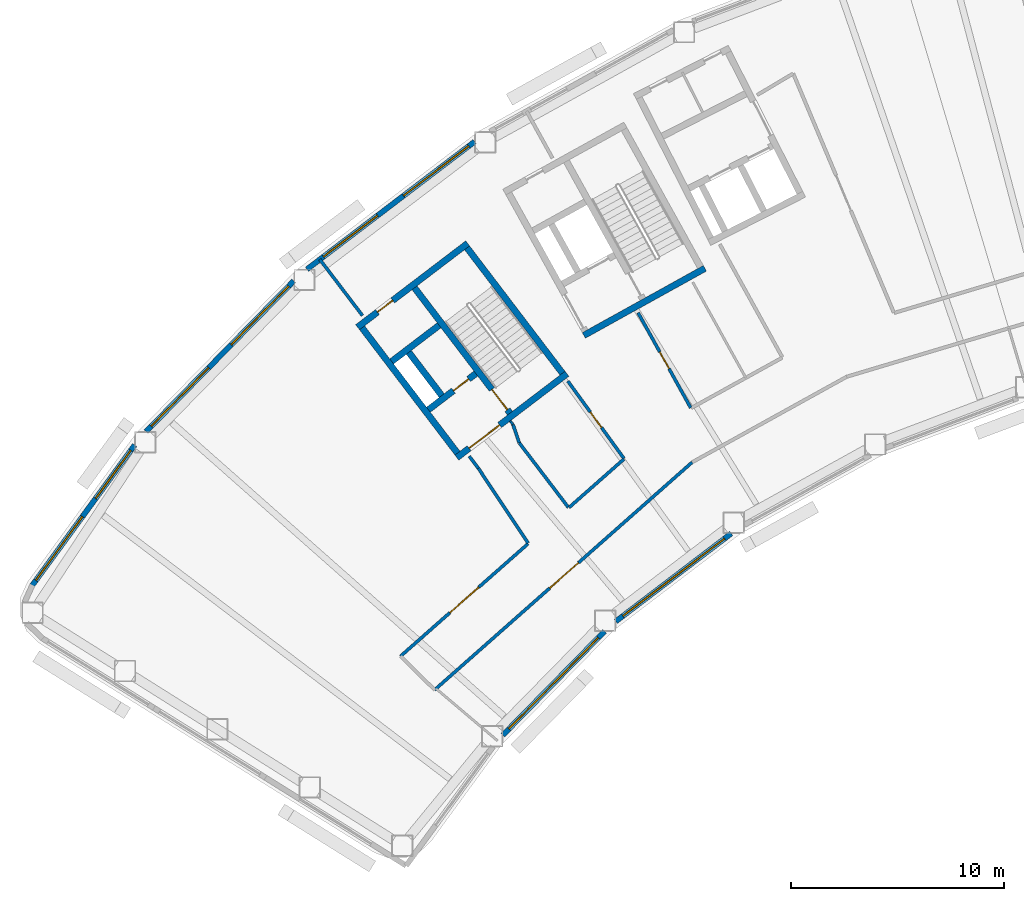
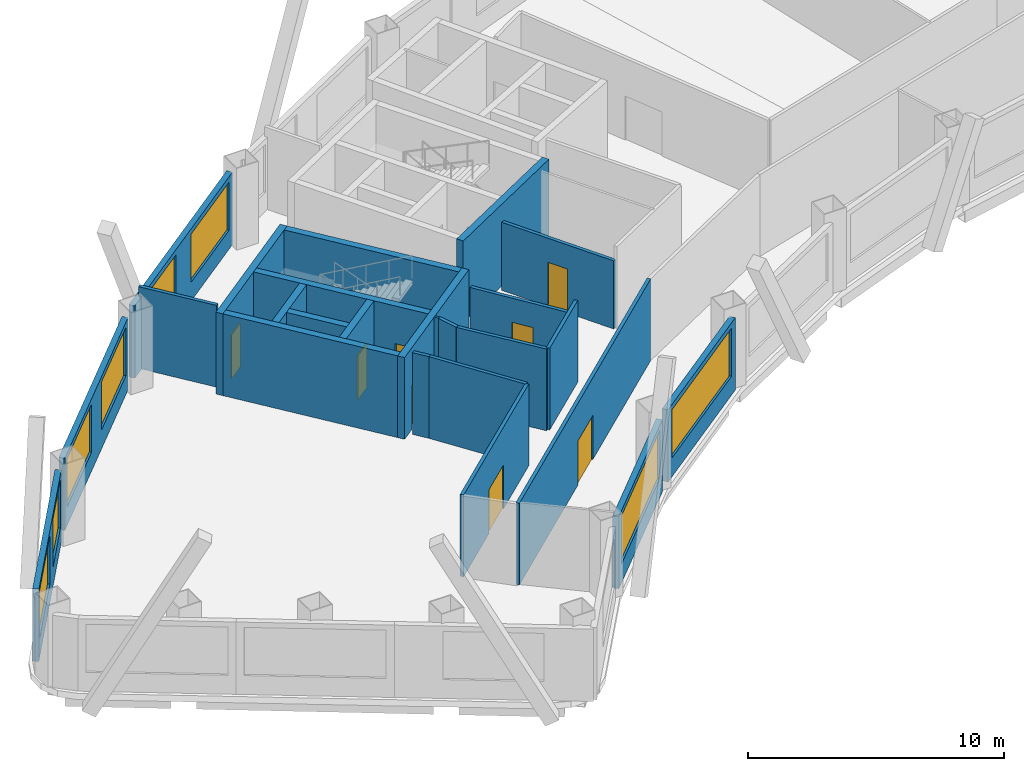
# One storey, part 3 of 11: 25 walls, 8 doors, 8 windows, 16 openings.
"""IFC4 building model written with IfcOpenShell, lengths in metres."""

from ifc_helpers import new_model, si_unit, direction, frame, frame_2d, origin, place, context, subcontext, project, spatial, rectangle, extrude, material, layer, layer_set, type_object, element, fill, save


model = new_model("IFC4")

# Units and contexts
model_context = context("Model", 3, precision=1e-05, world=origin(), true_north=direction((0.0, 1.0)))
body_context = subcontext(model_context, "Body", "Model", "MODEL_VIEW")
ifc_project = project(units=[si_unit("LENGTHUNIT", "METRE"), si_unit("AREAUNIT", "SQUARE_METRE"), si_unit("VOLUMEUNIT", "CUBIC_METRE"), si_unit("PLANEANGLEUNIT", "RADIAN"), si_unit("MASSUNIT", "GRAM", prefix="KILO")], contexts=[model_context])

# Site, building, storey
site_placement = place(None, origin())
site = spatial("IfcSite", under=ifc_project, at=site_placement, CompositionType="ELEMENT")
building_placement = place(site_placement, origin())
building = spatial("IfcBuilding", under=site, at=building_placement, Name="Tuul Gate Civic Tower", CompositionType="ELEMENT")
storey_placement = place(building_placement, frame((0.0, 0.0, 155.0)))
storey = spatial("IfcBuildingStorey", under=building, at=storey_placement, Name="Level 35", CompositionType="ELEMENT", Elevation=155.0)

# Wall, opening, door
ifc_material_1 = material(Name="Concrete C50/60", Category="concrete")
ifc_layer_1 = layer(ifc_material_1, 0.300048828125)
ifc_layer_set_1 = layer_set([ifc_layer_1], Name="Concrete C50/60")
wall_type_1 = type_object("IfcWallType", Name="Core wall C50/60", PredefinedType="SHEAR", material=ifc_layer_set_1)
wall_1_placement = place(storey_placement, frame((-31.19091796875, -13.669677734375, 0.0), z_axis=(0.0, 0.0, 1.0), x_axis=(-0.795606717756, -0.605813461934, 0.0)))
wall_1 = element("IfcWall", 1, at=wall_1_placement, inside=storey, type_object=wall_type_1, Name="Core wall", PredefinedType="SHEAR", context=body_context, shape_type="SweptSolid", body=[
    extrude(rectangle(XDim=6.5, YDim=0.300048828125, at=frame_2d((3.25, 0.0))), origin(), (0.0, 0.0, 1.0), 3.89990234375),
])
opening_1_placement = place(wall_1_placement, frame((3.97509765625, 0.0, 0.0)))
opening_1 = element("IfcOpeningElement", 2, at=opening_1_placement, cuts=wall_1, Name="Opening LB-W1-LOBBY-1", PredefinedType="OPENING", context=body_context, shape_type="SweptSolid", body=[
    extrude(rectangle(XDim=1.800048828125, YDim=2.10009765625, at=frame_2d((0.89990234375, 1.050048828125))), frame((0.0, 0.16015625, 0.0), z_axis=(0.0, -1.0, 0.0), x_axis=(1.0, 0.0, 0.0)), (0.0, 0.0, 1.0), 0.320068359375),
])
ifc_material_2 = material(Name="Steel", Category="steel")
door_type_1 = type_object("IfcDoorType", Name="Lobby door", OperationType="DOUBLE_DOOR_SINGLE_SWING", PredefinedType="DOOR", material=ifc_material_2)
door_1_placement = place(opening_1_placement, origin())
door_1 = element("IfcDoor", 3, at=door_1_placement, inside=storey, type_object=door_type_1, Name="Lobby door W1-LOBBY", OperationType="DOUBLE_DOOR_SINGLE_SWING", OverallHeight=2.10009765625, OverallWidth=1.800048828125, PredefinedType="DOOR", context=body_context, shape_type="SweptSolid", body=[
    extrude(rectangle(XDim=1.800048828125, YDim=2.10009765625, at=frame_2d((0.89990234375, 1.050048828125))), frame((0.0, 0.02490234375, 0.0), z_axis=(0.0, -1.0, 0.0), x_axis=(1.0, 0.0, 0.0)), (0.0, 0.0, 1.0), 0.050048828125),
])
fill(opening_1, door_1)

wall_2_placement = place(storey_placement, frame((-35.470947265625, -13.66064453125, 0.0), z_axis=(0.0, 0.0, 1.0), x_axis=(-0.795615822227, -0.605801504968, 0.0)))
wall_2 = element("IfcWall", 4, at=wall_2_placement, inside=storey, type_object=wall_type_1, Name="Core wall", PredefinedType="SHEAR", context=body_context, shape_type="SweptSolid", body=[
    extrude(rectangle(XDim=2.800048828125, YDim=0.300048828125, at=frame_2d((1.39990234375, 0.0))), origin(), (0.0, 0.0, 1.0), 3.89990234375),
])
opening_2_placement = place(wall_2_placement, frame((0.425048828125, 0.0, 0.0)))
opening_2 = element("IfcOpeningElement", 5, at=opening_2_placement, cuts=wall_2, Name="Opening FB-W1A1", PredefinedType="OPENING", context=body_context, shape_type="SweptSolid", body=[
    extrude(rectangle(XDim=0.89990234375, YDim=2.10009765625, at=frame_2d((0.449951171875, 1.050048828125))), frame((0.0, 0.16015625, 0.0), z_axis=(0.0, -1.0, 0.0), x_axis=(1.0, 0.0, 0.0)), (0.0, 0.0, 1.0), 0.320068359375),
])
ifc_material_3 = material(Name="Steel", Category="steel")
door_type_2 = type_object("IfcDoorType", Name="Store door", OperationType="NOTDEFINED", PredefinedType="DOOR", material=ifc_material_3)
door_2_placement = place(opening_2_placement, frame((0.89990234375, 0.0, 0.0), z_axis=(0.0, 0.0, 1.0), x_axis=(-1.0, 0.0, 0.0)))
door_2 = element("IfcDoor", 6, at=door_2_placement, inside=storey, type_object=door_type_2, Name="Store door W1A1", OperationType="SINGLE_SWING_RIGHT", OverallHeight=2.10009765625, OverallWidth=0.89990234375, PredefinedType="DOOR", context=body_context, shape_type="SweptSolid", body=[
    extrude(rectangle(XDim=0.89990234375, YDim=2.10009765625, at=frame_2d((0.449951171875, 1.050048828125))), frame((0.0, 0.02490234375, 0.0), z_axis=(0.0, -1.0, 0.0), x_axis=(1.0, 0.0, 0.0)), (0.0, 0.0, 1.0), 0.050048828125),
])
fill(opening_2, door_2)

# Wall
wall_3_placement = place(storey_placement, frame((-37.197509765625, -11.39306640625, 0.0), z_axis=(0.0, 0.0, 1.0), x_axis=(-0.795583820278, -0.605843531707, 0.0)))
element("IfcWall", 7, at=wall_3_placement, inside=storey, type_object=wall_type_1, Name="Core wall", PredefinedType="SHEAR", context=body_context, shape_type="SweptSolid", body=[
    extrude(rectangle(XDim=2.7998046875, YDim=0.300048828125, at=frame_2d((1.39990234375, 0.0))), origin(), (0.0, 0.0, 1.0), 3.89990234375),
])

# Wall, opening, door
wall_4_placement = place(storey_placement, frame((-35.855224609375, -7.543212890625, 0.0), z_axis=(0.0, 0.0, 1.0), x_axis=(-0.79563860527, -0.605771582202, 0.0)))
wall_4 = element("IfcWall", 8, at=wall_4_placement, inside=storey, type_object=wall_type_1, Name="Core wall", PredefinedType="SHEAR", context=body_context, shape_type="SweptSolid", body=[
    extrude(rectangle(XDim=6.5, YDim=0.300048828125, at=frame_2d((3.25, 0.0))), origin(), (0.0, 0.0, 1.0), 3.89990234375),
])
opening_3_placement = place(wall_4_placement, frame((4.425048828125, 0.0, 0.0)))
opening_3 = element("IfcOpeningElement", 9, at=opening_3_placement, cuts=wall_4, Name="Opening L-D11", PredefinedType="OPENING", context=body_context, shape_type="SweptSolid", body=[
    extrude(rectangle(XDim=0.89990234375, YDim=2.10009765625, at=frame_2d((0.449951171875, 1.050048828125))), frame((0.0, 0.16015625, 0.0), z_axis=(0.0, -1.0, 0.0), x_axis=(1.0, 0.0, 0.0)), (0.0, 0.0, 1.0), 0.320068359375),
])
ifc_material_4 = material(Name="Timber door leaf", Category="wood")
door_type_3 = type_object("IfcDoorType", Name="Door D09", OperationType="NOTDEFINED", PredefinedType="DOOR", material=ifc_material_4)
door_3_placement = place(opening_3_placement, origin())
door_3 = element("IfcDoor", 10, at=door_3_placement, inside=storey, type_object=door_type_3, Name="Door L-D11", OperationType="SINGLE_SWING_LEFT", OverallHeight=2.10009765625, OverallWidth=0.89990234375, PredefinedType="DOOR", context=body_context, shape_type="SweptSolid", body=[
    extrude(rectangle(XDim=0.89990234375, YDim=2.10009765625, at=frame_2d((0.449951171875, 1.050048828125))), frame((0.0, 0.02490234375, 0.0), z_axis=(0.0, -1.0, 0.0), x_axis=(1.0, 0.0, 0.0)), (0.0, 0.0, 1.0), 0.050048828125),
])
fill(opening_3, door_3)

# Wall
wall_5_placement = place(storey_placement, frame((-31.401123046875, -13.64111328125, 0.0), z_axis=(0.0, 0.0, 1.0), x_axis=(-0.605769822278, 0.795639945213, 0.0)))
element("IfcWall", 11, at=wall_5_placement, inside=storey, type_object=wall_type_1, Name="Core wall", PredefinedType="SHEAR", context=body_context, shape_type="SweptSolid", body=[
    extrude(rectangle(XDim=7.39990234375, YDim=0.300048828125, at=frame_2d((3.699951171875, 0.0))), origin(), (0.0, 0.0, 1.0), 3.89990234375),
])

# Wall, opening, door
wall_6_placement = place(storey_placement, frame((-33.867431640625, -15.51904296875, 0.0), z_axis=(0.0, 0.0, 1.0), x_axis=(-0.605769822278, 0.795639945213, 0.0)))
wall_6 = element("IfcWall", 12, at=wall_6_placement, inside=storey, type_object=wall_type_1, Name="Core wall", PredefinedType="SHEAR", context=body_context, shape_type="SweptSolid", body=[
    extrude(rectangle(XDim=7.39990234375, YDim=0.300048828125, at=frame_2d((3.699951171875, 0.0))), origin(), (0.0, 0.0, 1.0), 3.89990234375),
])
opening_4_placement = place(wall_6_placement, frame((0.199951171875, 0.0, 0.0)))
opening_4 = element("IfcOpeningElement", 13, at=opening_4_placement, cuts=wall_6, Name="Opening SD-ST-1", PredefinedType="OPENING", context=body_context, shape_type="SweptSolid", body=[
    extrude(rectangle(XDim=1.199951171875, YDim=2.10009765625, at=frame_2d((0.60009765625, 1.050048828125))), frame((0.0, 0.16015625, 0.0), z_axis=(0.0, -1.0, 0.0), x_axis=(1.0, 0.0, 0.0)), (0.0, 0.0, 1.0), 0.320068359375),
])
ifc_material_5 = material(Name="Steel", Category="steel")
door_type_4 = type_object("IfcDoorType", Name="Stair door", OperationType="NOTDEFINED", PredefinedType="DOOR", material=ifc_material_5)
door_4_placement = place(opening_4_placement, origin())
door_4 = element("IfcDoor", 14, at=door_4_placement, inside=storey, type_object=door_type_4, Name="Stair door ST-1", OperationType="SINGLE_SWING_LEFT", OverallHeight=2.10009765625, OverallWidth=1.199951171875, PredefinedType="DOOR", context=body_context, shape_type="SweptSolid", body=[
    extrude(rectangle(XDim=1.199951171875, YDim=2.10009765625, at=frame_2d((0.60009765625, 1.050048828125))), frame((0.0, 0.02490234375, 0.0), z_axis=(0.0, -1.0, 0.0), x_axis=(1.0, 0.0, 0.0)), (0.0, 0.0, 1.0), 0.050048828125),
])
fill(opening_4, door_4)

# Walls
wall_7_placement = place(storey_placement, frame((-37.073486328125, -14.6923828125, 0.0), z_axis=(0.0, 0.0, 1.0), x_axis=(-0.605728760074, 0.79567120673, 0.0)))
element("IfcWall", 15, at=wall_7_placement, inside=storey, type_object=wall_type_1, Name="Core wall", PredefinedType="SHEAR", context=body_context, shape_type="SweptSolid", body=[
    extrude(rectangle(XDim=2.550048828125, YDim=0.300048828125, at=frame_2d((1.27490234375, 0.0))), origin(), (0.0, 0.0, 1.0), 3.89990234375),
])
wall_8_placement = place(storey_placement, frame((-36.333984375, -17.397216796875, 0.0), z_axis=(0.0, 0.0, 1.0), x_axis=(-0.605753921168, 0.795652051458, 0.0)))
element("IfcWall", 16, at=wall_8_placement, inside=storey, type_object=wall_type_1, Name="Core wall", PredefinedType="SHEAR", context=body_context, shape_type="SweptSolid", body=[
    extrude(rectangle(XDim=7.400146484375, YDim=0.300048828125, at=frame_2d((3.7001953125, 0.0))), origin(), (0.0, 0.0, 1.0), 3.89990234375),
])
wall_9_placement = place(storey_placement, frame((-24.711669921875, -8.7158203125, 0.0), z_axis=(0.0, 0.0, 1.0), x_axis=(-0.874629909008, -0.484791215132, 0.0)))
element("IfcWall", 17, at=wall_9_placement, inside=storey, type_object=wall_type_1, Name="Core wall", PredefinedType="SHEAR", context=body_context, shape_type="SweptSolid", body=[
    extrude(rectangle(XDim=6.5, YDim=0.300048828125, at=frame_2d((3.25, 0.0))), origin(), (0.0, 0.0, 1.0), 3.89990234375),
])
ifc_material_6 = material(Name="Gypsum board partition")
ifc_layer_2 = layer(ifc_material_6, 0.14990234375)
ifc_layer_set_2 = layer_set([ifc_layer_2], Name="Gypsum board partition")
wall_type_2 = type_object("IfcWallType", Name="Corridor wall P150", PredefinedType="PARTITIONING", material=ifc_layer_set_2)
wall_10_placement = place(storey_placement, frame((-42.802001953125, -8.295166015625, 0.0), z_axis=(0.0, 0.0, 1.0), x_axis=(0.60469797749, -0.796454867535, 0.0)))
element("IfcWall", 18, at=wall_10_placement, inside=storey, type_object=wall_type_2, Name="p029", PredefinedType="PARTITIONING", context=body_context, shape_type="SweptSolid", body=[
    extrude(rectangle(XDim=3.310302734375, YDim=0.14990234375, at=frame_2d((1.6552734375, 0.0))), origin(), (0.0, 0.0, 1.0), 3.89990234375),
])
wall_11_placement = place(storey_placement, frame((-35.781982421875, -17.54248046875, 0.0), z_axis=(0.0, 0.0, 1.0), x_axis=(0.604688945267, -0.796461725052, 0.0)))
element("IfcWall", 19, at=wall_11_placement, inside=storey, type_object=wall_type_2, Name="p030", PredefinedType="PARTITIONING", context=body_context, shape_type="SweptSolid", body=[
    extrude(rectangle(XDim=0.70654296875, YDim=0.14990234375, at=frame_2d((0.353271484375, 0.0))), origin(), (0.0, 0.0, 1.0), 3.89990234375),
])
wall_12_placement = place(storey_placement, frame((-35.354736328125, -18.105224609375, 0.0), z_axis=(0.0, 0.0, 1.0), x_axis=(0.553299799825, -0.832982191594, 0.0)))
element("IfcWall", 20, at=wall_12_placement, inside=storey, type_object=wall_type_2, Name="p031", PredefinedType="PARTITIONING", context=body_context, shape_type="SweptSolid", body=[
    extrude(rectangle(XDim=4.2265625, YDim=0.14990234375, at=frame_2d((2.11328125, 0.0))), origin(), (0.0, 0.0, 1.0), 3.89990234375),
])

# Wall, opening, door
wall_13_placement = place(storey_placement, frame((-39.0068359375, -26.9365234375, 0.0), z_axis=(0.0, 0.0, 1.0), x_axis=(0.749806624539, 0.66165703034, 0.0)))
wall_13 = element("IfcWall", 21, at=wall_13_placement, inside=storey, type_object=wall_type_2, Name="p032", PredefinedType="PARTITIONING", context=body_context, shape_type="SweptSolid", body=[
    extrude(rectangle(XDim=7.98486328125, YDim=0.14990234375, at=frame_2d((3.992431640625, 0.0))), origin(), (0.0, 0.0, 1.0), 3.89990234375),
])
opening_5_placement = place(wall_13_placement, frame((3.09228515625, 0.0, 0.0)))
opening_5 = element("IfcOpeningElement", 22, at=opening_5_placement, cuts=wall_13, Name="Opening L-D07", PredefinedType="OPENING", context=body_context, shape_type="SweptSolid", body=[
    extrude(rectangle(XDim=1.800048828125, YDim=2.10009765625, at=frame_2d((0.89990234375, 1.050048828125))), frame((0.0, 0.0849609375, 0.0), z_axis=(0.0, -1.0, 0.0), x_axis=(1.0, 0.0, 0.0)), (0.0, 0.0, 1.0), 0.169921875),
])
ifc_material_7 = material(Name="Timber door leaf, double", Category="wood")
door_type_5 = type_object("IfcDoorType", Name="Door D18", OperationType="DOUBLE_DOOR_SINGLE_SWING", PredefinedType="DOOR", material=ifc_material_7)
door_5_placement = place(opening_5_placement, origin())
door_5 = element("IfcDoor", 23, at=door_5_placement, inside=storey, type_object=door_type_5, Name="Door L-D07", OperationType="DOUBLE_DOOR_SINGLE_SWING", OverallHeight=2.10009765625, OverallWidth=1.800048828125, PredefinedType="DOOR", context=body_context, shape_type="SweptSolid", body=[
    extrude(rectangle(XDim=1.800048828125, YDim=2.10009765625, at=frame_2d((0.89990234375, 1.050048828125))), frame((0.0, 0.02490234375, 0.0), z_axis=(0.0, -1.0, 0.0), x_axis=(1.0, 0.0, 0.0)), (0.0, 0.0, 1.0), 0.050048828125),
])
fill(opening_5, door_5)

# Wall
wall_14_placement = place(storey_placement, frame((-31.09228515625, -19.9521484375, 0.0), z_axis=(0.0, 0.0, 1.0), x_axis=(0.749802618554, 0.661661569996, 0.0)))
element("IfcWall", 24, at=wall_14_placement, inside=storey, type_object=wall_type_2, Name="p033", PredefinedType="PARTITIONING", context=body_context, shape_type="SweptSolid", body=[
    extrude(rectangle(XDim=3.4375, YDim=0.14990234375, at=frame_2d((1.71875, 0.0))), origin(), (0.0, 0.0, 1.0), 3.89990234375),
])

# Wall, opening, door
wall_15_placement = place(storey_placement, frame((-37.405517578125, -28.517333984375, 0.0), z_axis=(0.0, 0.0, 1.0), x_axis=(0.749274461917, 0.66225960221, 0.0)))
wall_15 = element("IfcWall", 25, at=wall_15_placement, inside=storey, type_object=wall_type_2, Name="p035", PredefinedType="PARTITIONING", context=body_context, shape_type="SweptSolid", body=[
    extrude(rectangle(XDim=16.144287109375, YDim=0.14990234375, at=frame_2d((8.072265625, 0.0))), origin(), (0.0, 0.0, 1.0), 3.89990234375),
])
opening_6_placement = place(wall_15_placement, frame((7.215087890625, 0.0, 0.0)))
opening_6 = element("IfcOpeningElement", 26, at=opening_6_placement, cuts=wall_15, Name="Opening L-D09", PredefinedType="OPENING", context=body_context, shape_type="SweptSolid", body=[
    extrude(rectangle(XDim=1.800048828125, YDim=2.10009765625, at=frame_2d((0.89990234375, 1.050048828125))), frame((0.0, 0.0849609375, 0.0), z_axis=(0.0, -1.0, 0.0), x_axis=(1.0, 0.0, 0.0)), (0.0, 0.0, 1.0), 0.169921875),
])
door_6_placement = place(opening_6_placement, frame((1.800048828125, 0.0, 0.0), z_axis=(0.0, 0.0, 1.0), x_axis=(-1.0, 0.0, 0.0)))
door_6 = element("IfcDoor", 27, at=door_6_placement, inside=storey, type_object=door_type_5, Name="Door L-D09", OperationType="DOUBLE_DOOR_SINGLE_SWING", OverallHeight=2.10009765625, OverallWidth=1.800048828125, PredefinedType="DOOR", context=body_context, shape_type="SweptSolid", body=[
    extrude(rectangle(XDim=1.800048828125, YDim=2.10009765625, at=frame_2d((0.900146484375, 1.050048828125))), frame((0.0, 0.02490234375, 0.0), z_axis=(0.0, -1.0, 0.0), x_axis=(1.0, 0.0, 0.0)), (0.0, 0.0, 1.0), 0.050048828125),
])
fill(opening_6, door_6)

# Walls
wall_16_placement = place(storey_placement, frame((-33.427001953125, -16.922607421875, 0.0), z_axis=(0.0, 0.0, 1.0), x_axis=(0.605786007011, -0.795627622515, 0.0)))
element("IfcWall", 28, at=wall_16_placement, inside=storey, type_object=wall_type_2, Name="p043", PredefinedType="PARTITIONING", context=body_context, shape_type="SweptSolid", body=[
    extrude(rectangle(XDim=3.803955078125, YDim=0.14990234375, at=frame_2d((1.90185546875, 0.0))), origin(), (0.0, 0.0, 1.0), 3.89990234375),
])
wall_17_placement = place(storey_placement, frame((-33.7265625, -16.053466796875, 0.0), z_axis=(0.0, 0.0, 1.0), x_axis=(0.324570788901, -0.94586140792, 0.0)))
element("IfcWall", 29, at=wall_17_placement, inside=storey, type_object=wall_type_2, Name="p044", PredefinedType="PARTITIONING", context=body_context, shape_type="SweptSolid", body=[
    extrude(rectangle(XDim=0.91162109375, YDim=0.14990234375, at=frame_2d((0.455810546875, 0.0))), origin(), (0.0, 0.0, 1.0), 3.89990234375),
])

# Wall, opening, door
ifc_material_8 = material(Name="Gypsum board partition")
ifc_layer_3 = layer(ifc_material_8, 0.14990234375)
ifc_layer_set_3 = layer_set([ifc_layer_3], Name="Gypsum board partition")
wall_type_3 = type_object("IfcWallType", Name="Corridor wall P150 3250 HIGH", PredefinedType="PARTITIONING", material=ifc_layer_set_3)
wall_18_placement = place(storey_placement, frame((-27.850341796875, -10.799560546875, 0.0), z_axis=(0.0, 0.0, 1.0), x_axis=(0.484294976114, -0.874904781168, 0.0)))
wall_18 = element("IfcWall", 30, at=wall_18_placement, inside=storey, type_object=wall_type_3, Name="p027", PredefinedType="PARTITIONING", context=body_context, shape_type="SweptSolid", body=[
    extrude(rectangle(XDim=5.107666015625, YDim=0.14990234375, at=frame_2d((2.5537109375, 0.0))), origin(), (0.0, 0.0, 1.0), 3.25),
])
opening_7_placement = place(wall_18_placement, frame((2.103759765625, 0.0, 0.0)))
opening_7 = element("IfcOpeningElement", 31, at=opening_7_placement, cuts=wall_18, Name="Opening L-D06", PredefinedType="OPENING", context=body_context, shape_type="SweptSolid", body=[
    extrude(rectangle(XDim=0.89990234375, YDim=2.10009765625, at=frame_2d((0.449951171875, 1.050048828125))), frame((0.0, 0.0849609375, 0.0), z_axis=(0.0, -1.0, 0.0), x_axis=(1.0, 0.0, 0.0)), (0.0, 0.0, 1.0), 0.169921875),
])
door_7_placement = place(opening_7_placement, origin())
door_7 = element("IfcDoor", 32, at=door_7_placement, inside=storey, type_object=door_type_3, Name="Door L-D06", OperationType="SINGLE_SWING_RIGHT", OverallHeight=2.10009765625, OverallWidth=0.89990234375, PredefinedType="DOOR", context=body_context, shape_type="SweptSolid", body=[
    extrude(rectangle(XDim=0.89990234375, YDim=2.10009765625, at=frame_2d((0.449951171875, 1.050048828125))), frame((0.0, 0.02490234375, 0.0), z_axis=(0.0, -1.0, 0.0), x_axis=(1.0, 0.0, 0.0)), (0.0, 0.0, 1.0), 0.050048828125),
])
fill(opening_7, door_7)

wall_19_placement = place(storey_placement, frame((-31.1484375, -14.015625, 0.0), z_axis=(0.0, 0.0, 1.0), x_axis=(0.587240188271, -0.809412726166, 0.0)))
wall_19 = element("IfcWall", 33, at=wall_19_placement, inside=storey, type_object=wall_type_3, Name="p042", PredefinedType="PARTITIONING", context=body_context, shape_type="SweptSolid", body=[
    extrude(rectangle(XDim=4.489990234375, YDim=0.14990234375, at=frame_2d((2.2451171875, 0.0))), origin(), (0.0, 0.0, 1.0), 3.25),
])
opening_8_placement = place(wall_19_placement, frame((1.794921875, 0.0, 0.0)))
opening_8 = element("IfcOpeningElement", 34, at=opening_8_placement, cuts=wall_19, Name="Opening L-D10", PredefinedType="OPENING", context=body_context, shape_type="SweptSolid", body=[
    extrude(rectangle(XDim=0.89990234375, YDim=2.10009765625, at=frame_2d((0.449951171875, 1.050048828125))), frame((0.0, 0.0849609375, 0.0), z_axis=(0.0, -1.0, 0.0), x_axis=(1.0, 0.0, 0.0)), (0.0, 0.0, 1.0), 0.169921875),
])
door_8_placement = place(opening_8_placement, frame((0.89990234375, 0.0, 0.0), z_axis=(0.0, 0.0, 1.0), x_axis=(-1.0, 0.0, 0.0)))
door_8 = element("IfcDoor", 35, at=door_8_placement, inside=storey, type_object=door_type_3, Name="Door L-D10", OperationType="SINGLE_SWING_LEFT", OverallHeight=2.10009765625, OverallWidth=0.89990234375, PredefinedType="DOOR", context=body_context, shape_type="SweptSolid", body=[
    extrude(rectangle(XDim=0.89990234375, YDim=2.10009765625, at=frame_2d((0.449951171875, 1.050048828125))), frame((0.0, 0.02490234375, 0.0), z_axis=(0.0, -1.0, 0.0), x_axis=(1.0, 0.0, 0.0)), (0.0, 0.0, 1.0), 0.050048828125),
])
fill(opening_8, door_8)

# Wall, openings, windows
ifc_material_9 = material(Name="Precast concrete C40/50", Category="concrete")
ifc_layer_4 = layer(ifc_material_9, 0.25)
ifc_layer_set_4 = layer_set([ifc_layer_4], Name="Precast concrete C40/50")
wall_type_4 = type_object("IfcWallType", Name="External wall", PredefinedType="STANDARD", material=ifc_layer_set_4)
wall_20_placement = place(storey_placement, frame((-35.528076171875, -2.7626953125, 0.0), z_axis=(0.0, 0.0, 1.0), x_axis=(-0.79560098888, -0.605820985518, 0.0)))
wall_20 = element("IfcWall", 36, at=wall_20_placement, inside=storey, type_object=wall_type_4, Name="External wall", PredefinedType="STANDARD", context=body_context, shape_type="SweptSolid", body=[
    extrude(rectangle(XDim=9.89794921875, YDim=0.25, at=frame_2d((4.948974609375, 0.0))), origin(), (0.0, 0.0, 1.0), 3.449951171875),
])
opening_9_placement = place(wall_20_placement, frame((0.347412109375, 0.0, 0.89990234375)))
opening_9 = element("IfcOpeningElement", 37, at=opening_9_placement, cuts=wall_20, Name="Opening W22", PredefinedType="OPENING", context=body_context, shape_type="SweptSolid", body=[
    extrude(rectangle(XDim=3.85009765625, YDim=2.300048828125, at=frame_2d((1.925048828125, 1.14990234375))), frame((0.0, 0.135009765625, 0.0), z_axis=(0.0, -1.0, 0.0), x_axis=(1.0, 0.0, 0.0)), (0.0, 0.0, 1.0), 0.27001953125),
])
opening_10_placement = place(wall_20_placement, frame((5.72900390625, 0.0, 0.89990234375)))
opening_10 = element("IfcOpeningElement", 38, at=opening_10_placement, cuts=wall_20, Name="Opening W48", PredefinedType="OPENING", context=body_context, shape_type="SweptSolid", body=[
    extrude(rectangle(XDim=3.199951171875, YDim=2.300048828125, at=frame_2d((1.60009765625, 1.14990234375))), frame((0.0, 0.135009765625, 0.0), z_axis=(0.0, -1.0, 0.0), x_axis=(1.0, 0.0, 0.0)), (0.0, 0.0, 1.0), 0.27001953125),
])
ifc_material_10 = material(Name="Glass", Category="glass")
window_type_1 = type_object("IfcWindowType", Name="Window 3200 x 2300", PartitioningType="SINGLE_PANEL", PredefinedType="WINDOW", material=ifc_material_10)
window_1_placement = place(opening_10_placement, origin())
window_1 = element("IfcWindow", 39, at=window_1_placement, inside=storey, type_object=window_type_1, Name="Window", OverallHeight=2.300048828125, OverallWidth=3.199951171875, PartitioningType="SINGLE_PANEL", PredefinedType="WINDOW", context=body_context, shape_type="SweptSolid", body=[
    extrude(rectangle(XDim=3.199951171875, YDim=2.300048828125, at=frame_2d((1.60009765625, 1.14990234375))), frame((0.0, 0.030029296875, 0.0), z_axis=(0.0, -1.0, 0.0), x_axis=(1.0, 0.0, 0.0)), (0.0, 0.0, 1.0), 0.06005859375),
])
fill(opening_10, window_1)
ifc_material_11 = material(Name="Glass", Category="glass")
window_type_2 = type_object("IfcWindowType", Name="Window W22 3850 x 2300", PartitioningType="SINGLE_PANEL", PredefinedType="WINDOW", material=ifc_material_11)
window_2_placement = place(opening_9_placement, origin())
window_2 = element("IfcWindow", 40, at=window_2_placement, inside=storey, type_object=window_type_2, Name="Window", OverallHeight=2.300048828125, OverallWidth=3.85009765625, PartitioningType="SINGLE_PANEL", PredefinedType="WINDOW", context=body_context, shape_type="SweptSolid", body=[
    extrude(rectangle(XDim=3.85009765625, YDim=2.300048828125, at=frame_2d((1.925048828125, 1.14990234375))), frame((0.0, 0.030029296875, 0.0), z_axis=(0.0, -1.0, 0.0), x_axis=(1.0, 0.0, 0.0)), (0.0, 0.0, 1.0), 0.06005859375),
])
fill(opening_9, window_2)

wall_21_placement = place(storey_placement, frame((-44.02392578125, -9.3056640625, 0.0), z_axis=(0.0, 0.0, 1.0), x_axis=(-0.700052449461, -0.714091428323, 0.0)))
wall_21 = element("IfcWall", 41, at=wall_21_placement, inside=storey, type_object=wall_type_4, Name="External wall", PredefinedType="STANDARD", context=body_context, shape_type="SweptSolid", body=[
    extrude(rectangle(XDim=9.912353515625, YDim=0.25, at=frame_2d((4.9560546875, 0.0))), origin(), (0.0, 0.0, 1.0), 3.449951171875),
])
opening_11_placement = place(wall_21_placement, frame((0.344482421875, 0.0, 0.89990234375)))
opening_11 = element("IfcOpeningElement", 42, at=opening_11_placement, cuts=wall_21, Name="Opening W22", PredefinedType="OPENING", context=body_context, shape_type="SweptSolid", body=[
    extrude(rectangle(XDim=3.85009765625, YDim=2.300048828125, at=frame_2d((1.925048828125, 1.14990234375))), frame((0.0, 0.135009765625, 0.0), z_axis=(0.0, -1.0, 0.0), x_axis=(1.0, 0.0, 0.0)), (0.0, 0.0, 1.0), 0.27001953125),
])
opening_12_placement = place(wall_21_placement, frame((5.715576171875, 0.0, 0.89990234375)))
opening_12 = element("IfcOpeningElement", 43, at=opening_12_placement, cuts=wall_21, Name="Opening W22", PredefinedType="OPENING", context=body_context, shape_type="SweptSolid", body=[
    extrude(rectangle(XDim=3.85009765625, YDim=2.300048828125, at=frame_2d((1.925048828125, 1.14990234375))), frame((0.0, 0.135009765625, 0.0), z_axis=(0.0, -1.0, 0.0), x_axis=(1.0, 0.0, 0.0)), (0.0, 0.0, 1.0), 0.27001953125),
])
window_3_placement = place(opening_11_placement, origin())
window_3 = element("IfcWindow", 44, at=window_3_placement, inside=storey, type_object=window_type_2, Name="Window", OverallHeight=2.300048828125, OverallWidth=3.85009765625, PartitioningType="SINGLE_PANEL", PredefinedType="WINDOW", context=body_context, shape_type="SweptSolid", body=[
    extrude(rectangle(XDim=3.85009765625, YDim=2.300048828125, at=frame_2d((1.925048828125, 1.14990234375))), frame((0.0, 0.030029296875, 0.0), z_axis=(0.0, -1.0, 0.0), x_axis=(1.0, 0.0, 0.0)), (0.0, 0.0, 1.0), 0.06005859375),
])
fill(opening_11, window_3)
window_4_placement = place(opening_12_placement, origin())
window_4 = element("IfcWindow", 45, at=window_4_placement, inside=storey, type_object=window_type_2, Name="Window", OverallHeight=2.300048828125, OverallWidth=3.85009765625, PartitioningType="SINGLE_PANEL", PredefinedType="WINDOW", context=body_context, shape_type="SweptSolid", body=[
    extrude(rectangle(XDim=3.85009765625, YDim=2.300048828125, at=frame_2d((1.925048828125, 1.14990234375))), frame((0.0, 0.030029296875, 0.0), z_axis=(0.0, -1.0, 0.0), x_axis=(1.0, 0.0, 0.0)), (0.0, 0.0, 1.0), 0.06005859375),
])
fill(opening_12, window_4)

wall_22_placement = place(storey_placement, frame((-51.498046875, -17.017578125, 0.0), z_axis=(0.0, 0.0, 1.0), x_axis=(-0.589745261817, -0.807589330145, 0.0)))
wall_22 = element("IfcWall", 46, at=wall_22_placement, inside=storey, type_object=wall_type_4, Name="External wall", PredefinedType="STANDARD", context=body_context, shape_type="SweptSolid", body=[
    extrude(rectangle(XDim=8.167724609375, YDim=0.25, at=frame_2d((4.083984375, 0.0))), origin(), (0.0, 0.0, 1.0), 3.449951171875),
])
opening_13_placement = place(wall_22_placement, frame((0.315185546875, 0.0, 0.89990234375)))
opening_13 = element("IfcOpeningElement", 47, at=opening_13_placement, cuts=wall_22, Name="Opening W23", PredefinedType="OPENING", context=body_context, shape_type="SweptSolid", body=[
    extrude(rectangle(XDim=2.800048828125, YDim=2.300048828125, at=frame_2d((1.39990234375, 1.14990234375))), frame((0.0, 0.135009765625, 0.0), z_axis=(0.0, -1.0, 0.0), x_axis=(1.0, 0.0, 0.0)), (0.0, 0.0, 1.0), 0.27001953125),
])
opening_14_placement = place(wall_22_placement, frame((4.1669921875, 0.0, 0.89990234375)))
opening_14 = element("IfcOpeningElement", 48, at=opening_14_placement, cuts=wall_22, Name="Opening W21", PredefinedType="OPENING", context=body_context, shape_type="SweptSolid", body=[
    extrude(rectangle(XDim=3.699951171875, YDim=2.300048828125, at=frame_2d((1.85009765625, 1.14990234375))), frame((0.0, 0.135009765625, 0.0), z_axis=(0.0, -1.0, 0.0), x_axis=(1.0, 0.0, 0.0)), (0.0, 0.0, 1.0), 0.27001953125),
])
ifc_material_12 = material(Name="Glass", Category="glass")
window_type_3 = type_object("IfcWindowType", Name="Window W21 3700 x 2300", PartitioningType="SINGLE_PANEL", PredefinedType="WINDOW", material=ifc_material_12)
window_5_placement = place(opening_14_placement, origin())
window_5 = element("IfcWindow", 49, at=window_5_placement, inside=storey, type_object=window_type_3, Name="Window", OverallHeight=2.300048828125, OverallWidth=3.699951171875, PartitioningType="SINGLE_PANEL", PredefinedType="WINDOW", context=body_context, shape_type="SweptSolid", body=[
    extrude(rectangle(XDim=3.699951171875, YDim=2.300048828125, at=frame_2d((1.85009765625, 1.14990234375))), frame((0.0, 0.030029296875, 0.0), z_axis=(0.0, -1.0, 0.0), x_axis=(1.0, 0.0, 0.0)), (0.0, 0.0, 1.0), 0.06005859375),
])
fill(opening_14, window_5)
ifc_material_13 = material(Name="Glass", Category="glass")
window_type_4 = type_object("IfcWindowType", Name="Window W23 2800 x 2300", PartitioningType="SINGLE_PANEL", PredefinedType="WINDOW", material=ifc_material_13)
window_6_placement = place(opening_13_placement, origin())
window_6 = element("IfcWindow", 50, at=window_6_placement, inside=storey, type_object=window_type_4, Name="Window", OverallHeight=2.300048828125, OverallWidth=2.800048828125, PartitioningType="SINGLE_PANEL", PredefinedType="WINDOW", context=body_context, shape_type="SweptSolid", body=[
    extrude(rectangle(XDim=2.800048828125, YDim=2.300048828125, at=frame_2d((1.39990234375, 1.14990234375))), frame((0.0, 0.030029296875, 0.0), z_axis=(0.0, -1.0, 0.0), x_axis=(1.0, 0.0, 0.0)), (0.0, 0.0, 1.0), 0.06005859375),
])
fill(opening_13, window_6)

# Wall, opening, window
wall_23_placement = place(storey_placement, frame((-34.20703125, -30.647216796875, 0.0), z_axis=(0.0, 0.0, 1.0), x_axis=(0.700046388208, 0.714097370361, 0.0)))
wall_23 = element("IfcWall", 51, at=wall_23_placement, inside=storey, type_object=wall_type_4, Name="External wall", PredefinedType="STANDARD", context=body_context, shape_type="SweptSolid", body=[
    extrude(rectangle(XDim=6.82861328125, YDim=0.25, at=frame_2d((3.414306640625, 0.0))), origin(), (0.0, 0.0, 1.0), 3.449951171875),
])
opening_15_placement = place(wall_23_placement, frame((0.4130859375, 0.0, 0.89990234375)))
opening_15 = element("IfcOpeningElement", 52, at=opening_15_placement, cuts=wall_23, Name="Opening W26", PredefinedType="OPENING", context=body_context, shape_type="SweptSolid", body=[
    extrude(rectangle(XDim=6.0, YDim=2.300048828125, at=frame_2d((3.0, 1.14990234375))), frame((0.0, 0.135009765625, 0.0), z_axis=(0.0, -1.0, 0.0), x_axis=(1.0, 0.0, 0.0)), (0.0, 0.0, 1.0), 0.27001953125),
])
ifc_material_14 = material(Name="Glass", Category="glass")
window_type_5 = type_object("IfcWindowType", Name="Window W26 6000 x 2300", PartitioningType="SINGLE_PANEL", PredefinedType="WINDOW", material=ifc_material_14)
window_7_placement = place(opening_15_placement, origin())
window_7 = element("IfcWindow", 53, at=window_7_placement, inside=storey, type_object=window_type_5, Name="Window", OverallHeight=2.300048828125, OverallWidth=6.0, PartitioningType="SINGLE_PANEL", PredefinedType="WINDOW", context=body_context, shape_type="SweptSolid", body=[
    extrude(rectangle(XDim=6.0, YDim=2.300048828125, at=frame_2d((3.0, 1.14990234375))), frame((0.0, 0.030029296875, 0.0), z_axis=(0.0, -1.0, 0.0), x_axis=(1.0, 0.0, 0.0)), (0.0, 0.0, 1.0), 0.06005859375),
])
fill(opening_15, window_7)

wall_24_placement = place(storey_placement, frame((-28.89306640625, -25.2998046875, 0.0), z_axis=(0.0, 0.0, 1.0), x_axis=(0.795597025415, 0.605826190546, 0.0)))
wall_24 = element("IfcWall", 54, at=wall_24_placement, inside=storey, type_object=wall_type_4, Name="External wall", PredefinedType="STANDARD", context=body_context, shape_type="SweptSolid", body=[
    extrude(rectangle(XDim=6.813232421875, YDim=0.25, at=frame_2d((3.40673828125, 0.0))), origin(), (0.0, 0.0, 1.0), 3.449951171875),
])
opening_16_placement = place(wall_24_placement, frame((0.41552734375, 0.0, 0.89990234375)))
opening_16 = element("IfcOpeningElement", 55, at=opening_16_placement, cuts=wall_24, Name="Opening W26", PredefinedType="OPENING", context=body_context, shape_type="SweptSolid", body=[
    extrude(rectangle(XDim=6.0, YDim=2.300048828125, at=frame_2d((3.0, 1.14990234375))), frame((0.0, 0.135009765625, 0.0), z_axis=(0.0, -1.0, 0.0), x_axis=(1.0, 0.0, 0.0)), (0.0, 0.0, 1.0), 0.27001953125),
])
window_8_placement = place(opening_16_placement, origin())
window_8 = element("IfcWindow", 56, at=window_8_placement, inside=storey, type_object=window_type_5, Name="Window", OverallHeight=2.300048828125, OverallWidth=6.0, PartitioningType="SINGLE_PANEL", PredefinedType="WINDOW", context=body_context, shape_type="SweptSolid", body=[
    extrude(rectangle(XDim=6.0, YDim=2.300048828125, at=frame_2d((3.0, 1.14990234375))), frame((0.0, 0.030029296875, 0.0), z_axis=(0.0, -1.0, 0.0), x_axis=(1.0, 0.0, 0.0)), (0.0, 0.0, 1.0), 0.06005859375),
])
fill(opening_16, window_8)

# Wall
ifc_material_15 = material(Name="Gypsum board partition")
ifc_layer_5 = layer(ifc_material_15, 0.10009765625)
ifc_layer_set_5 = layer_set([ifc_layer_5], Name="Gypsum board partition")
wall_type_5 = type_object("IfcWallType", Name="Partition P100", PredefinedType="PARTITIONING", material=ifc_layer_set_5)
wall_25_placement = place(storey_placement, frame((-33.7265625, -16.053466796875, 0.0), z_axis=(0.0, 0.0, 1.0), x_axis=(-0.605553776309, 0.795804388023, 0.0)))
element("IfcWall", 57, at=wall_25_placement, inside=storey, type_object=wall_type_5, Name="p048", PredefinedType="PARTITIONING", context=body_context, shape_type="SweptSolid", body=[
    extrude(rectangle(XDim=0.21044921875, YDim=0.10009765625, at=frame_2d((0.105224609375, 0.0))), origin(), (0.0, 0.0, 1.0), 3.89990234375),
])

save(model, "model.ifc")
